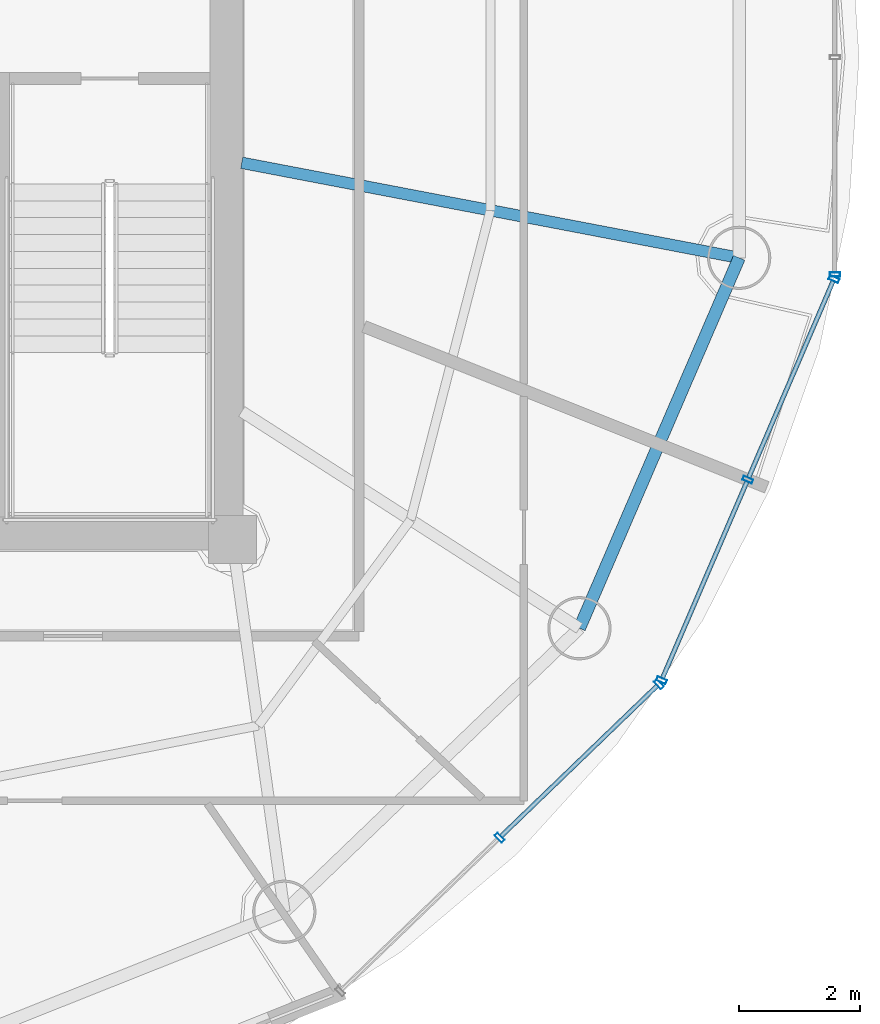
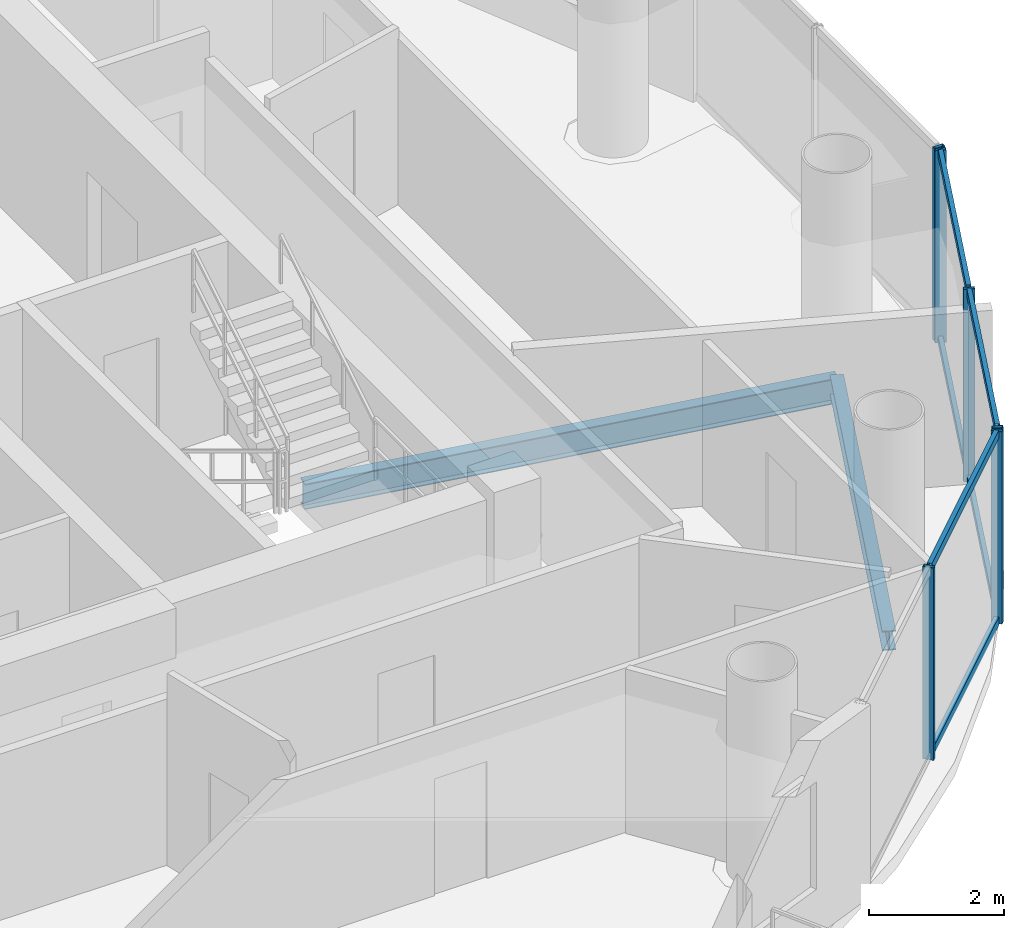
# One storey, part 10 of 23: 12 members, 2 beams, 3 elements without a shape of their own.
"""IFC4 building model written with IfcOpenShell, lengths in metres."""

from ifc_helpers import new_model, si_unit, direction, frame, origin, origin_2d, place, context, subcontext, project, spatial, hollow_rectangle, i_section, extrude, source, transform, mapped, material, material_profile, profile_set, type_object, element, aggregate, save


model = new_model("IFC4")

# Units and contexts
model_context = context("Model", 3, precision=1e-05, world=origin(), true_north=direction((-0.2419218956, 0.970295726276)))
body_context = subcontext(model_context, "Body", "Model", "MODEL_VIEW")
ifc_project = project(units=[si_unit("LENGTHUNIT", "METRE"), si_unit("AREAUNIT", "SQUARE_METRE"), si_unit("VOLUMEUNIT", "CUBIC_METRE"), si_unit("PLANEANGLEUNIT", "RADIAN"), si_unit("MASSUNIT", "GRAM", prefix="KILO")], contexts=[model_context])

# Site, building, storey
site_placement = place(None, origin())
site = spatial("IfcSite", under=ifc_project, at=site_placement, CompositionType="ELEMENT")
building_placement = place(site_placement, origin())
building = spatial("IfcBuilding", under=site, at=building_placement, Name="Cobrevalo Terracotta Tower", CompositionType="ELEMENT")
storey_placement = place(building_placement, frame((0.0, 0.0, 251.949951171875)))
storey = spatial("IfcBuildingStorey", under=building, at=storey_placement, Name="L66", CompositionType="ELEMENT", Elevation=251.949951171875)

# Beams
ifc_material_1 = material(Name="Steel S355", Category="steel")
ifc_material_profile_1 = material_profile(ifc_material_1, i_section(OverallWidth=0.19091796875, OverallDepth=0.4599609375, WebThickness=0.010009765625, FlangeThickness=0.01611328125, at=origin_2d()), Name="W 460x82")
ifc_profile_set_1 = profile_set([ifc_material_profile_1], Name="Steel S355")
beam_type_1 = type_object("IfcBeamType", Name="Structural Beam W 460x82 (Steel S355)", PredefinedType="BEAM", material=ifc_profile_set_1)
beam_1_placement = place(storey_placement, frame((55.408935546875, 23.4736328125, -0.489990234375), z_axis=(-0.982229562106, 0.187683476432, 0.0), x_axis=(-0.187683476432, -0.982229562106, 0.0)))
element("IfcBeam", 1, at=beam_1_placement, inside=storey, type_object=beam_type_1, Name="L66 radial floor girder 16", PredefinedType="BEAM", context=body_context, shape_type="SweptSolid", body=[
    extrude(i_section(OverallWidth=0.19091796875, OverallDepth=0.4599609375, WebThickness=0.010009765625, FlangeThickness=0.01611328125, at=origin_2d()), origin(), (0.0, 0.0, 1.0), 8.4033203125),
])
ifc_material_profile_2 = material_profile(ifc_material_1, i_section(OverallWidth=0.205078125, OverallDepth=0.35400390625, WebThickness=0.009521484375, FlangeThickness=0.016845703125, at=origin_2d()), Name="W 360x79")
ifc_profile_set_2 = profile_set([ifc_material_profile_2], Name="Steel S355")
beam_type_2 = type_object("IfcBeamType", Name="Structural Spandrel W 360x79 (Steel S355)", PredefinedType="SPANDREL", material=ifc_profile_set_2)
beam_2_placement = place(storey_placement, frame((52.758544921875, 17.32763671875, -0.43701171875), z_axis=(0.395987390706, 0.918255948198, 0.0), x_axis=(-0.918255948198, 0.395987390706, 0.0)))
element("IfcBeam", 2, at=beam_2_placement, inside=storey, type_object=beam_type_2, Name="L66 perimeter ring spandrel 15", PredefinedType="SPANDREL", context=body_context, shape_type="SweptSolid", body=[
    extrude(i_section(OverallWidth=0.205078125, OverallDepth=0.35400390625, WebThickness=0.009521484375, FlangeThickness=0.016845703125, at=origin_2d()), origin(), (0.0, 0.0, 1.0), 6.693115234375),
])

# Curtain wall, members
ifc_material_2 = material(Name="Anodized aluminium", Category="aluminium")
curtain_wall_type = type_object("IfcCurtainWallType", Name="Upper-tower triple-glazed penthouse curtain wall CW-U3", PredefinedType="NOTDEFINED", material=ifc_material_2)
curtain_wall_1_placement = place(storey_placement, origin())
curtain_wall_1 = element("IfcCurtainWall", 3, at=curtain_wall_1_placement, inside=storey, type_object=curtain_wall_type, Name="L66 curtain wall CW-L66-S14", PredefinedType="NOTDEFINED")
ifc_material_profile_3 = material_profile(ifc_material_2, hollow_rectangle(XDim=0.070068359375, YDim=0.169921875, WallThickness=0.00439453125, at=origin_2d()), Name="CWM 70x170")
ifc_profile_set_3 = profile_set([ifc_material_profile_3], Name="Anodized aluminium")
member_type_1 = type_object("IfcMemberType", Name="Upper tower unitised mullion 70x170", PredefinedType="MULLION", material=ifc_profile_set_3)
shared_shape_1 = source(origin(), body_context, "Body", "SweptSolid", [
    extrude(hollow_rectangle(XDim=0.070068359375, YDim=0.169921875, WallThickness=0.00439453125, at=origin_2d()), origin(), (0.0, 0.0, 1.0), 3.489990234375),
])
member_1_placement = place(storey_placement, frame((51.43359375, 13.85205078125, 0.0), z_axis=(0.0, 0.0, 1.0), x_axis=(0.71999418085, 0.69398010025, 0.0)))
member_1 = element("IfcMember", 4, at=member_1_placement, type_object=member_type_1, Name="CW-L66-S14 vertical mullion 02", PredefinedType="MULLION", context=body_context, shape_type="MappedRepresentation", body=[
    mapped(shared_shape_1, transform((0.0, 0.0, 0.0), scale=1.0)),
])
member_2_placement = place(storey_placement, frame((54.07666015625, 16.399658203125, 0.0), z_axis=(0.0, 0.0, 1.0), x_axis=(0.71999418085, 0.69398010025, 0.0)))
member_2 = element("IfcMember", 5, at=member_2_placement, type_object=member_type_1, Name="CW-L66-S14 vertical mullion 03", PredefinedType="MULLION", context=body_context, shape_type="MappedRepresentation", body=[
    mapped(shared_shape_1, transform((0.0, 0.0, 0.0), scale=1.0)),
])

curtain_wall_2_placement = place(storey_placement, origin())
curtain_wall_2 = element("IfcCurtainWall", 6, at=curtain_wall_2_placement, inside=storey, type_object=curtain_wall_type, Name="L66 curtain wall CW-L66-S15", PredefinedType="NOTDEFINED")
member_3_placement = place(storey_placement, frame((54.121337890625, 16.46435546875, 0.0), z_axis=(0.0, 0.0, 1.0), x_axis=(0.39482403454, 0.91875675875, 0.0)))
member_3 = element("IfcMember", 7, at=member_3_placement, type_object=member_type_1, Name="CW-L66-S15 vertical mullion 01", PredefinedType="MULLION", context=body_context, shape_type="MappedRepresentation", body=[
    mapped(shared_shape_1, transform((0.0, 0.0, 0.0), scale=1.0)),
])
member_4_placement = place(storey_placement, frame((55.5517578125, 19.79248046875, 0.0), z_axis=(0.0, 0.0, 1.0), x_axis=(0.39482403454, 0.91875675875, 0.0)))
member_4 = element("IfcMember", 8, at=member_4_placement, type_object=member_type_1, Name="CW-L66-S15 vertical mullion 02", PredefinedType="MULLION", context=body_context, shape_type="MappedRepresentation", body=[
    mapped(shared_shape_1, transform((0.0, 0.0, 0.0), scale=1.0)),
])
member_5_placement = place(storey_placement, frame((56.98193359375, 23.120849609375, 0.0), z_axis=(0.0, 0.0, 1.0), x_axis=(0.39482403454, 0.91875675875, 0.0)))
member_5 = element("IfcMember", 9, at=member_5_placement, type_object=member_type_1, Name="CW-L66-S15 vertical mullion 03", PredefinedType="MULLION", context=body_context, shape_type="MappedRepresentation", body=[
    mapped(shared_shape_1, transform((0.0, 0.0, 0.0), scale=1.0)),
])

# Curtain wall, member
curtain_wall_3_placement = place(storey_placement, origin())
curtain_wall_3 = element("IfcCurtainWall", 10, at=curtain_wall_3_placement, inside=storey, type_object=curtain_wall_type, Name="L66 curtain wall CW-L66-S16", PredefinedType="NOTDEFINED")
member_6_placement = place(storey_placement, frame((56.997802734375, 23.19775390625, 0.0), z_axis=(0.0, 0.0, 1.0), x_axis=(0.0, 1.0, 0.0)))
member_6 = element("IfcMember", 11, at=member_6_placement, type_object=member_type_1, Name="CW-L66-S16 vertical mullion 01", PredefinedType="MULLION", context=body_context, shape_type="MappedRepresentation", body=[
    mapped(shared_shape_1, transform((0.0, 0.0, 0.0), scale=1.0)),
])
aggregate(curtain_wall_3, [member_6])

# Member
ifc_material_profile_4 = material_profile(ifc_material_2, hollow_rectangle(XDim=0.074951171875, YDim=0.14990234375, WallThickness=0.00439453125, at=origin_2d()), Name="CWT 75x150")
ifc_profile_set_4 = profile_set([ifc_material_profile_4], Name="Anodized aluminium")
member_type_2 = type_object("IfcMemberType", Name="Tower unitised aluminium transom 75x150", PredefinedType="USERDEFINED", material=ifc_profile_set_4)
shared_shape_2 = source(origin(), body_context, "Body", "SweptSolid", [
    extrude(hollow_rectangle(XDim=0.074951171875, YDim=0.14990234375, WallThickness=0.00439453125, at=origin_2d()), origin(), (0.0, 0.0, 1.0), 3.59130859375),
])
member_7_placement = place(storey_placement, frame((51.462158203125, 13.879638671875, 0.050048828125), z_axis=(0.719971660756, 0.694003463758, 0.0), x_axis=(-0.694003463758, 0.719971660756, 0.0)))
member_7 = element("IfcMember", 12, at=member_7_placement, type_object=member_type_2, Name="CW-L66-S14 transom B02-T1", ObjectType="TRANSOM", PredefinedType="USERDEFINED", context=body_context, shape_type="MappedRepresentation", body=[
    mapped(shared_shape_2, transform((0.0, 0.0, 0.0), scale=1.0)),
])

member_8_placement = place(storey_placement, frame((51.462158203125, 13.879638671875, 3.43994140625), z_axis=(0.719971660756, 0.694003463758, 0.0), x_axis=(-0.694003463758, 0.719971660756, 0.0)))
member_8 = element("IfcMember", 13, at=member_8_placement, type_object=member_type_2, Name="CW-L66-S14 transom B02-T2", ObjectType="TRANSOM", PredefinedType="USERDEFINED", context=body_context, shape_type="MappedRepresentation", body=[
    mapped(shared_shape_2, transform((0.0, 0.0, 0.0), scale=1.0)),
])

aggregate(curtain_wall_1, [member_1, member_2, member_7, member_8])

shared_shape_3 = source(origin(), body_context, "Body", "SweptSolid", [
    extrude(hollow_rectangle(XDim=0.074951171875, YDim=0.14990234375, WallThickness=0.00439453125, at=origin_2d()), origin(), (0.0, 0.0, 1.0), 3.542724609375),
])
member_9_placement = place(storey_placement, frame((54.13720703125, 16.5009765625, 0.050048828125), z_axis=(0.394809056766, 0.918763195114, 0.0), x_axis=(-0.918763195114, 0.394809056766, 0.0)))
member_9 = element("IfcMember", 14, at=member_9_placement, type_object=member_type_2, Name="CW-L66-S15 transom B01-T1", ObjectType="TRANSOM", PredefinedType="USERDEFINED", context=body_context, shape_type="MappedRepresentation", body=[
    mapped(shared_shape_3, transform((0.0, 0.0, 0.0), scale=1.0)),
])

member_10_placement = place(storey_placement, frame((54.13720703125, 16.5009765625, 3.43994140625), z_axis=(0.394809056766, 0.918763195114, 0.0), x_axis=(-0.918763195114, 0.394809056766, 0.0)))
member_10 = element("IfcMember", 15, at=member_10_placement, type_object=member_type_2, Name="CW-L66-S15 transom B01-T2", ObjectType="TRANSOM", PredefinedType="USERDEFINED", context=body_context, shape_type="MappedRepresentation", body=[
    mapped(shared_shape_3, transform((0.0, 0.0, 0.0), scale=1.0)),
])

member_11_placement = place(storey_placement, frame((55.5673828125, 19.829345703125, 0.050048828125), z_axis=(0.394867226589, 0.918738196314, 0.0), x_axis=(-0.918738196314, 0.394867226589, 0.0)))
member_11 = element("IfcMember", 16, at=member_11_placement, type_object=member_type_2, Name="CW-L66-S15 transom B02-T1", ObjectType="TRANSOM", PredefinedType="USERDEFINED", context=body_context, shape_type="MappedRepresentation", body=[
    mapped(shared_shape_3, transform((0.0, 0.0, 0.0), scale=1.0)),
])

member_12_placement = place(storey_placement, frame((55.5673828125, 19.829345703125, 3.43994140625), z_axis=(0.394867226589, 0.918738196314, 0.0), x_axis=(-0.918738196314, 0.394867226589, 0.0)))
member_12 = element("IfcMember", 17, at=member_12_placement, type_object=member_type_2, Name="CW-L66-S15 transom B02-T2", ObjectType="TRANSOM", PredefinedType="USERDEFINED", context=body_context, shape_type="MappedRepresentation", body=[
    mapped(shared_shape_3, transform((0.0, 0.0, 0.0), scale=1.0)),
])

aggregate(curtain_wall_2, [member_3, member_4, member_5, member_9, member_10, member_11, member_12])

save(model, "model.ifc")
